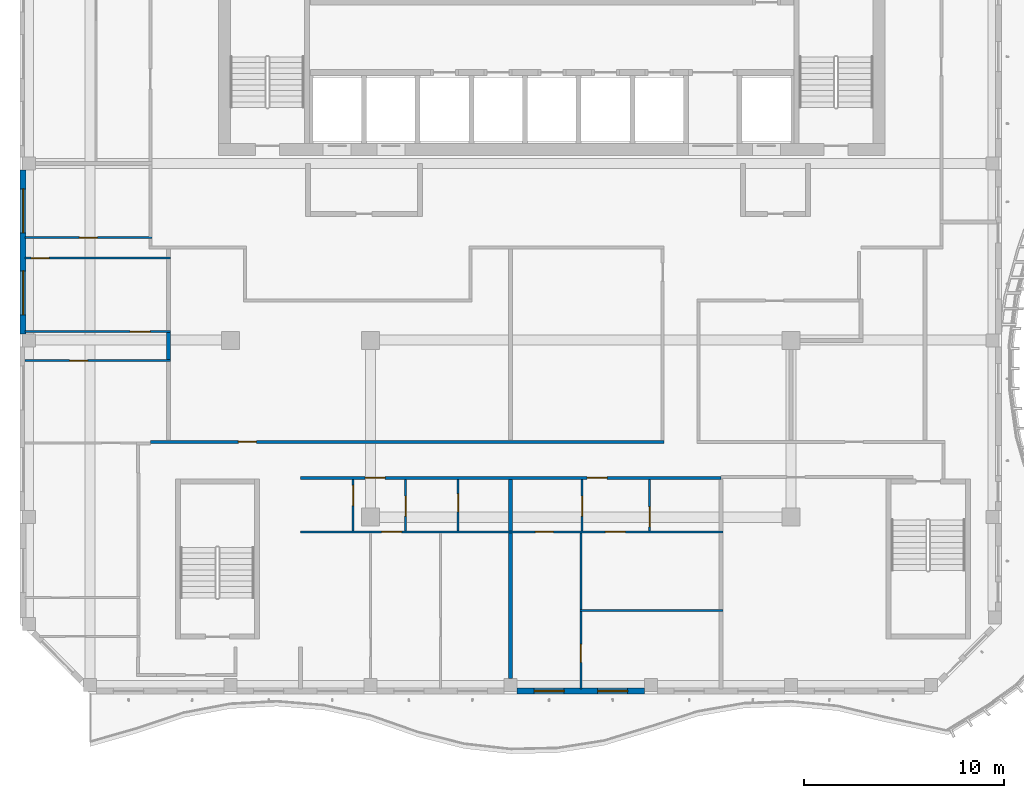
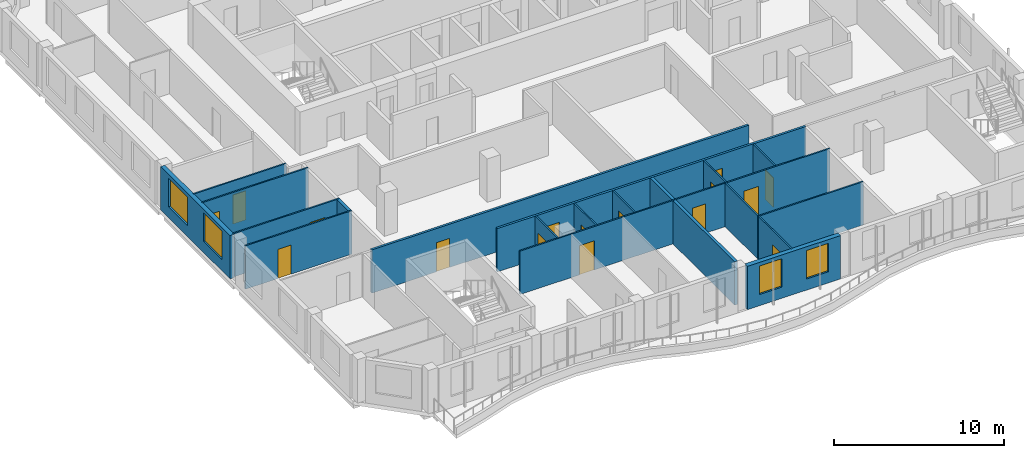
# One storey, part 3 of 18: 20 walls, 16 doors, 4 windows, 20 openings.
"""IFC4 building model written with IfcOpenShell, lengths in metres."""

from ifc_helpers import new_model, si_unit, direction, frame, frame_2d, origin, place, context, subcontext, project, spatial, rectangle, extrude, source, transform, mapped, material, layer, layer_set, type_object, element, fill, save


model = new_model("IFC4")

# Units and contexts
model_context = context("Model", 3, precision=1e-05, world=origin(), true_north=direction((0.0, 1.0)))
body_context = subcontext(model_context, "Body", "Model", "MODEL_VIEW")
ifc_project = project(units=[si_unit("LENGTHUNIT", "METRE"), si_unit("AREAUNIT", "SQUARE_METRE"), si_unit("VOLUMEUNIT", "CUBIC_METRE"), si_unit("PLANEANGLEUNIT", "RADIAN"), si_unit("MASSUNIT", "GRAM", prefix="KILO")], contexts=[model_context])

# Site, building, storey
site_placement = place(None, origin())
site = spatial("IfcSite", under=ifc_project, at=site_placement, CompositionType="ELEMENT")
building_placement = place(site_placement, origin())
building = spatial("IfcBuilding", under=site, at=building_placement, Name="Kilnfold Tower and Market Hall", CompositionType="ELEMENT")
storey_placement = place(building_placement, frame((0.0, 0.0, 280.60009765625)))
storey = spatial("IfcBuildingStorey", under=building, at=storey_placement, Name="L69", CompositionType="ELEMENT", Elevation=280.60009765625)

# Wall, opening, door
ifc_material_1 = material(Name="Gypsum board on steel studs", Category="steel")
ifc_layer_1 = layer(ifc_material_1, 0.14990234375)
ifc_layer_set_1 = layer_set([ifc_layer_1], Name="Gypsum board on steel studs")
wall_type_1 = type_object("IfcWallType", Name="WALL CORRIDOR 150", PredefinedType="PARTITIONING", material=ifc_layer_set_1)
wall_1_placement = place(storey_placement, frame((-19.0, -5.89990234375, 0.0), z_axis=(0.0, 0.0, 1.0), x_axis=(1.0, 0.0, 0.0)))
wall_1 = element("IfcWall", 1, at=wall_1_placement, inside=storey, type_object=wall_type_1, Name="Partition LY42.10", PredefinedType="PARTITIONING", context=body_context, shape_type="SweptSolid", body=[
    extrude(rectangle(XDim=25.655029296875, YDim=0.14990234375, at=frame_2d((12.82763671875, 0.0))), origin(), (0.0, 0.0, 1.0), 3.119873046875),
])
opening_1_placement = place(wall_1_placement, frame((4.39404296875, 0.0, 0.0)))
opening_1 = element("IfcOpeningElement", 2, at=opening_1_placement, cuts=wall_1, Name="Opening D2", PredefinedType="OPENING", context=body_context, shape_type="SweptSolid", body=[
    extrude(rectangle(XDim=0.89990234375, YDim=2.10009765625, at=frame_2d((0.449951171875, 1.050048828125))), frame((0.0, 0.0849609375, 0.0), z_axis=(0.0, -1.0, 0.0), x_axis=(1.0, 0.0, 0.0)), (0.0, 0.0, 1.0), 0.169921875),
])
ifc_material_2 = material(Name="Timber veneer door leaf in steel frame", Category="steel")
door_type_1 = type_object("IfcDoorType", Name="DOOR ROOM 900 X2100", OperationType="NOTDEFINED", PredefinedType="DOOR", material=ifc_material_2)
door_1_placement = place(opening_1_placement, origin())
door_1 = element("IfcDoor", 3, at=door_1_placement, inside=storey, type_object=door_type_1, Name="Door D2", OperationType="SINGLE_SWING_RIGHT", OverallHeight=2.10009765625, OverallWidth=0.89990234375, PredefinedType="DOOR", context=body_context, shape_type="SweptSolid", body=[
    extrude(rectangle(XDim=0.89990234375, YDim=2.10009765625, at=frame_2d((0.449951171875, 1.050048828125))), frame((0.0, 0.02490234375, 0.0), z_axis=(0.0, -1.0, 0.0), x_axis=(1.0, 0.0, 0.0)), (0.0, 0.0, 1.0), 0.050048828125),
])
fill(opening_1, door_1)

# Wall, openings, doors
wall_2_placement = place(storey_placement, frame((-11.510009765625, -7.699951171875, 0.0), z_axis=(0.0, 0.0, 1.0), x_axis=(1.0, 0.0, 0.0)))
wall_2 = element("IfcWall", 4, at=wall_2_placement, inside=storey, type_object=wall_type_1, Name="Partition LY42.14", PredefinedType="PARTITIONING", context=body_context, shape_type="SweptSolid", body=[
    extrude(rectangle(XDim=21.02001953125, YDim=0.14990234375, at=frame_2d((10.510009765625, 0.0))), origin(), (0.0, 0.0, 1.0), 3.119873046875),
])
opening_2_placement = place(wall_2_placement, frame((3.239990234375, 0.0, 0.0)))
opening_2 = element("IfcOpeningElement", 5, at=opening_2_placement, cuts=wall_2, Name="Opening D1", PredefinedType="OPENING", context=body_context, shape_type="SweptSolid", body=[
    extrude(rectangle(XDim=1.0, YDim=2.10009765625, at=frame_2d((0.5, 1.050048828125))), frame((0.0, 0.0849609375, 0.0), z_axis=(0.0, -1.0, 0.0), x_axis=(1.0, 0.0, 0.0)), (0.0, 0.0, 1.0), 0.169921875),
])
opening_3_placement = place(wall_2_placement, frame((14.321044921875, 0.0, 0.0)))
opening_3 = element("IfcOpeningElement", 6, at=opening_3_placement, cuts=wall_2, Name="Opening D1", PredefinedType="OPENING", context=body_context, shape_type="SweptSolid", body=[
    extrude(rectangle(XDim=1.0, YDim=2.10009765625, at=frame_2d((0.5, 1.050048828125))), frame((0.0, 0.0849609375, 0.0), z_axis=(0.0, -1.0, 0.0), x_axis=(1.0, 0.0, 0.0)), (0.0, 0.0, 1.0), 0.169921875),
])
ifc_material_3 = material(Name="Timber veneer door leaf in steel frame", Category="steel")
door_type_2 = type_object("IfcDoorType", Name="DOOR ENTRY 1000 X2100", OperationType="NOTDEFINED", PredefinedType="DOOR", material=ifc_material_3)
door_2_placement = place(opening_2_placement, origin())
door_2 = element("IfcDoor", 7, at=door_2_placement, inside=storey, type_object=door_type_2, Name="Door D1", OperationType="SINGLE_SWING_LEFT", OverallHeight=2.10009765625, OverallWidth=1.0, PredefinedType="DOOR", context=body_context, shape_type="SweptSolid", body=[
    extrude(rectangle(XDim=1.0, YDim=2.10009765625, at=frame_2d((0.5, 1.050048828125))), frame((0.0, 0.02490234375, 0.0), z_axis=(0.0, -1.0, 0.0), x_axis=(1.0, 0.0, 0.0)), (0.0, 0.0, 1.0), 0.050048828125),
])
fill(opening_2, door_2)
door_3_placement = place(opening_3_placement, origin())
door_3 = element("IfcDoor", 8, at=door_3_placement, inside=storey, type_object=door_type_2, Name="Door D1", OperationType="SINGLE_SWING_RIGHT", OverallHeight=2.10009765625, OverallWidth=1.0, PredefinedType="DOOR", context=body_context, shape_type="SweptSolid", body=[
    extrude(rectangle(XDim=1.0, YDim=2.10009765625, at=frame_2d((0.5, 1.050048828125))), frame((0.0, 0.02490234375, 0.0), z_axis=(0.0, -1.0, 0.0), x_axis=(1.0, 0.0, 0.0)), (0.0, 0.0, 1.0), 0.050048828125),
])
fill(opening_3, door_3)

# Wall, opening, door
ifc_material_4 = material(Name="Gypsum board on steel studs", Category="steel")
ifc_layer_2 = layer(ifc_material_4, 0.10009765625)
ifc_layer_set_2 = layer_set([ifc_layer_2], Name="Gypsum board on steel studs")
wall_type_2 = type_object("IfcWallType", Name="WALL PARTITION 100", PredefinedType="PARTITIONING", material=ifc_layer_set_2)
wall_3_placement = place(storey_placement, frame((-18.0, -1.842041015625, 0.0), z_axis=(0.0, 0.0, 1.0), x_axis=(-1.0, 0.0, 0.0)))
wall_3 = element("IfcWall", 9, at=wall_3_placement, inside=storey, type_object=wall_type_2, Name="Partition LY42.37", PredefinedType="PARTITIONING", context=body_context, shape_type="SweptSolid", body=[
    extrude(rectangle(XDim=7.25, YDim=0.10009765625, at=frame_2d((3.625, 0.0))), origin(), (0.0, 0.0, 1.0), 3.119873046875),
])
opening_4_placement = place(wall_3_placement, frame((4.133056640625, 0.0, 0.0)))
opening_4 = element("IfcOpeningElement", 10, at=opening_4_placement, cuts=wall_3, Name="Opening D2", PredefinedType="OPENING", context=body_context, shape_type="SweptSolid", body=[
    extrude(rectangle(XDim=0.89990234375, YDim=2.10009765625, at=frame_2d((0.449951171875, 1.050048828125))), frame((0.0, 0.06005859375, 0.0), z_axis=(0.0, -1.0, 0.0), x_axis=(1.0, 0.0, 0.0)), (0.0, 0.0, 1.0), 0.1201171875),
])
door_4_placement = place(opening_4_placement, origin())
door_4 = element("IfcDoor", 11, at=door_4_placement, inside=storey, type_object=door_type_1, Name="Door D2", OperationType="SINGLE_SWING_RIGHT", OverallHeight=2.10009765625, OverallWidth=0.89990234375, PredefinedType="DOOR", context=body_context, shape_type="SweptSolid", body=[
    extrude(rectangle(XDim=0.89990234375, YDim=2.10009765625, at=frame_2d((0.449951171875, 1.050048828125))), frame((0.0, 0.02490234375, 0.0), z_axis=(0.0, -1.0, 0.0), x_axis=(1.0, 0.0, 0.0)), (0.0, 0.0, 1.0), 0.050048828125),
])
fill(opening_4, door_4)

wall_4_placement = place(storey_placement, frame((-18.0, -0.39990234375, 0.0), z_axis=(0.0, 0.0, 1.0), x_axis=(-1.0, 0.0, 0.0)))
wall_4 = element("IfcWall", 12, at=wall_4_placement, inside=storey, type_object=wall_type_2, Name="Partition LY42.39", PredefinedType="PARTITIONING", context=body_context, shape_type="SweptSolid", body=[
    extrude(rectangle(XDim=7.25, YDim=0.10009765625, at=frame_2d((3.625, 0.0))), origin(), (0.0, 0.0, 1.0), 3.119873046875),
])
opening_5_placement = place(wall_4_placement, frame((1.007080078125, 0.0, 0.0)))
opening_5 = element("IfcOpeningElement", 13, at=opening_5_placement, cuts=wall_4, Name="Opening D1", PredefinedType="OPENING", context=body_context, shape_type="SweptSolid", body=[
    extrude(rectangle(XDim=1.0, YDim=2.10009765625, at=frame_2d((0.5, 1.050048828125))), frame((0.0, 0.06005859375, 0.0), z_axis=(0.0, -1.0, 0.0), x_axis=(1.0, 0.0, 0.0)), (0.0, 0.0, 1.0), 0.1201171875),
])
door_5_placement = place(opening_5_placement, origin())
door_5 = element("IfcDoor", 14, at=door_5_placement, inside=storey, type_object=door_type_2, Name="Door D1", OperationType="SINGLE_SWING_LEFT", OverallHeight=2.10009765625, OverallWidth=1.0, PredefinedType="DOOR", context=body_context, shape_type="SweptSolid", body=[
    extrude(rectangle(XDim=1.0, YDim=2.10009765625, at=frame_2d((0.5, 1.050048828125))), frame((0.0, 0.02490234375, 0.0), z_axis=(0.0, -1.0, 0.0), x_axis=(1.0, 0.0, 0.0)), (0.0, 0.0, 1.0), 0.050048828125),
])
fill(opening_5, door_5)

wall_5_placement = place(storey_placement, frame((-18.0, 3.27490234375, 0.0), z_axis=(0.0, 0.0, 1.0), x_axis=(-1.0, 0.0, 0.0)))
wall_5 = element("IfcWall", 15, at=wall_5_placement, inside=storey, type_object=wall_type_2, Name="Partition LY42.41", PredefinedType="PARTITIONING", context=body_context, shape_type="SweptSolid", body=[
    extrude(rectangle(XDim=7.25, YDim=0.10009765625, at=frame_2d((3.625, 0.0))), origin(), (0.0, 0.0, 1.0), 3.119873046875),
])
opening_6_placement = place(wall_5_placement, frame((6.049072265625, 0.0, 0.0)))
opening_6 = element("IfcOpeningElement", 16, at=opening_6_placement, cuts=wall_5, Name="Opening D2", PredefinedType="OPENING", context=body_context, shape_type="SweptSolid", body=[
    extrude(rectangle(XDim=0.89990234375, YDim=2.10009765625, at=frame_2d((0.449951171875, 1.050048828125))), frame((0.0, 0.06005859375, 0.0), z_axis=(0.0, -1.0, 0.0), x_axis=(1.0, 0.0, 0.0)), (0.0, 0.0, 1.0), 0.1201171875),
])
door_6_placement = place(opening_6_placement, origin())
door_6 = element("IfcDoor", 17, at=door_6_placement, inside=storey, type_object=door_type_1, Name="Door D2", OperationType="SINGLE_SWING_LEFT", OverallHeight=2.10009765625, OverallWidth=0.89990234375, PredefinedType="DOOR", context=body_context, shape_type="SweptSolid", body=[
    extrude(rectangle(XDim=0.89990234375, YDim=2.10009765625, at=frame_2d((0.449951171875, 1.050048828125))), frame((0.0, 0.02490234375, 0.0), z_axis=(0.0, -1.0, 0.0), x_axis=(1.0, 0.0, 0.0)), (0.0, 0.0, 1.0), 0.050048828125),
])
fill(opening_6, door_6)

wall_6_placement = place(storey_placement, frame((-18.927001953125, 4.2919921875, 0.0), z_axis=(0.0, 0.0, 1.0), x_axis=(-1.0, 0.0, 0.0)))
wall_6 = element("IfcWall", 18, at=wall_6_placement, inside=storey, type_object=wall_type_2, Name="Partition LY42.43", PredefinedType="PARTITIONING", context=body_context, shape_type="SweptSolid", body=[
    extrude(rectangle(XDim=6.322998046875, YDim=0.10009765625, at=frame_2d((3.16162109375, 0.0))), origin(), (0.0, 0.0, 1.0), 3.119873046875),
])
opening_7_placement = place(wall_6_placement, frame((2.7119140625, 0.0, 0.0)))
opening_7 = element("IfcOpeningElement", 19, at=opening_7_placement, cuts=wall_6, Name="Opening D2", PredefinedType="OPENING", context=body_context, shape_type="SweptSolid", body=[
    extrude(rectangle(XDim=0.89990234375, YDim=2.10009765625, at=frame_2d((0.449951171875, 1.050048828125))), frame((0.0, 0.06005859375, 0.0), z_axis=(0.0, -1.0, 0.0), x_axis=(1.0, 0.0, 0.0)), (0.0, 0.0, 1.0), 0.1201171875),
])
door_7_placement = place(opening_7_placement, origin())
door_7 = element("IfcDoor", 20, at=door_7_placement, inside=storey, type_object=door_type_1, Name="Door D2", OperationType="SINGLE_SWING_RIGHT", OverallHeight=2.10009765625, OverallWidth=0.89990234375, PredefinedType="DOOR", context=body_context, shape_type="SweptSolid", body=[
    extrude(rectangle(XDim=0.89990234375, YDim=2.10009765625, at=frame_2d((0.449951171875, 1.050048828125))), frame((0.0, 0.02490234375, 0.0), z_axis=(0.0, -1.0, 0.0), x_axis=(1.0, 0.0, 0.0)), (0.0, 0.0, 1.0), 0.050048828125),
])
fill(opening_7, door_7)

wall_7_placement = place(storey_placement, frame((-8.875, -10.35009765625, 0.0), z_axis=(0.0, 0.0, 1.0), x_axis=(0.0, 1.0, 0.0)))
wall_7 = element("IfcWall", 21, at=wall_7_placement, inside=storey, type_object=wall_type_2, Name="Partition LY42.46", PredefinedType="PARTITIONING", context=body_context, shape_type="SweptSolid", body=[
    extrude(rectangle(XDim=2.572998046875, YDim=0.10009765625, at=frame_2d((1.28662109375, 0.0))), origin(), (0.0, 0.0, 1.0), 3.119873046875),
])
opening_8_placement = place(wall_7_placement, frame((1.26611328125, 0.0, 0.0)))
opening_8 = element("IfcOpeningElement", 22, at=opening_8_placement, cuts=wall_7, Name="Opening D1", PredefinedType="OPENING", context=body_context, shape_type="SweptSolid", body=[
    extrude(rectangle(XDim=1.0, YDim=2.10009765625, at=frame_2d((0.5, 1.050048828125))), frame((0.0, 0.06005859375, 0.0), z_axis=(0.0, -1.0, 0.0), x_axis=(1.0, 0.0, 0.0)), (0.0, 0.0, 1.0), 0.1201171875),
])
door_8_placement = place(opening_8_placement, origin())
door_8 = element("IfcDoor", 23, at=door_8_placement, inside=storey, type_object=door_type_2, Name="Door D1", OperationType="SINGLE_SWING_RIGHT", OverallHeight=2.10009765625, OverallWidth=1.0, PredefinedType="DOOR", context=body_context, shape_type="SweptSolid", body=[
    extrude(rectangle(XDim=1.0, YDim=2.10009765625, at=frame_2d((0.5, 1.050048828125))), frame((0.0, 0.02490234375, 0.0), z_axis=(0.0, -1.0, 0.0), x_axis=(1.0, 0.0, 0.0)), (0.0, 0.0, 1.0), 0.050048828125),
])
fill(opening_8, door_8)

# Wall, openings, doors
wall_8_placement = place(storey_placement, frame((-11.5, -10.39990234375, 0.0), z_axis=(0.0, 0.0, 1.0), x_axis=(1.0, 0.0, 0.0)))
wall_8 = element("IfcWall", 24, at=wall_8_placement, inside=storey, type_object=wall_type_2, Name="Partition LY42.47", PredefinedType="PARTITIONING", context=body_context, shape_type="SweptSolid", body=[
    extrude(rectangle(XDim=21.10009765625, YDim=0.10009765625, at=frame_2d((10.550048828125, 0.0))), origin(), (0.0, 0.0, 1.0), 3.119873046875),
])
opening_9_placement = place(wall_8_placement, frame((4.050048828125, 0.0, 0.0)))
opening_9 = element("IfcOpeningElement", 25, at=opening_9_placement, cuts=wall_8, Name="Opening D1", PredefinedType="OPENING", context=body_context, shape_type="SweptSolid", body=[
    extrude(rectangle(XDim=1.0, YDim=2.10009765625, at=frame_2d((0.5, 1.050048828125))), frame((0.0, 0.06005859375, 0.0), z_axis=(0.0, -1.0, 0.0), x_axis=(1.0, 0.0, 0.0)), (0.0, 0.0, 1.0), 0.1201171875),
])
opening_10_placement = place(wall_8_placement, frame((11.72705078125, 0.0, 0.0)))
opening_10 = element("IfcOpeningElement", 26, at=opening_10_placement, cuts=wall_8, Name="Opening D2", PredefinedType="OPENING", context=body_context, shape_type="SweptSolid", body=[
    extrude(rectangle(XDim=0.89990234375, YDim=2.10009765625, at=frame_2d((0.449951171875, 1.050048828125))), frame((0.0, 0.06005859375, 0.0), z_axis=(0.0, -1.0, 0.0), x_axis=(1.0, 0.0, 0.0)), (0.0, 0.0, 1.0), 0.1201171875),
])
opening_11_placement = place(wall_8_placement, frame((15.22509765625, 0.0, 0.0)))
opening_11 = element("IfcOpeningElement", 27, at=opening_11_placement, cuts=wall_8, Name="Opening D1", PredefinedType="OPENING", context=body_context, shape_type="SweptSolid", body=[
    extrude(rectangle(XDim=1.0, YDim=2.10009765625, at=frame_2d((0.5, 1.050048828125))), frame((0.0, 0.06005859375, 0.0), z_axis=(0.0, -1.0, 0.0), x_axis=(1.0, 0.0, 0.0)), (0.0, 0.0, 1.0), 0.1201171875),
])
door_9_placement = place(opening_9_placement, origin())
door_9 = element("IfcDoor", 28, at=door_9_placement, inside=storey, type_object=door_type_2, Name="Door D1", OperationType="SINGLE_SWING_RIGHT", OverallHeight=2.10009765625, OverallWidth=1.0, PredefinedType="DOOR", context=body_context, shape_type="SweptSolid", body=[
    extrude(rectangle(XDim=1.0, YDim=2.10009765625, at=frame_2d((0.5, 1.050048828125))), frame((0.0, 0.02490234375, 0.0), z_axis=(0.0, -1.0, 0.0), x_axis=(1.0, 0.0, 0.0)), (0.0, 0.0, 1.0), 0.050048828125),
])
fill(opening_9, door_9)
door_10_placement = place(opening_11_placement, origin())
door_10 = element("IfcDoor", 29, at=door_10_placement, inside=storey, type_object=door_type_2, Name="Door D1", OperationType="SINGLE_SWING_LEFT", OverallHeight=2.10009765625, OverallWidth=1.0, PredefinedType="DOOR", context=body_context, shape_type="SweptSolid", body=[
    extrude(rectangle(XDim=1.0, YDim=2.10009765625, at=frame_2d((0.5, 1.050048828125))), frame((0.0, 0.02490234375, 0.0), z_axis=(0.0, -1.0, 0.0), x_axis=(1.0, 0.0, 0.0)), (0.0, 0.0, 1.0), 0.050048828125),
])
fill(opening_11, door_10)
door_11_placement = place(opening_10_placement, origin())
door_11 = element("IfcDoor", 30, at=door_11_placement, inside=storey, type_object=door_type_1, Name="Door D2", OperationType="SINGLE_SWING_LEFT", OverallHeight=2.10009765625, OverallWidth=0.89990234375, PredefinedType="DOOR", context=body_context, shape_type="SweptSolid", body=[
    extrude(rectangle(XDim=0.89990234375, YDim=2.10009765625, at=frame_2d((0.449951171875, 1.050048828125))), frame((0.0, 0.02490234375, 0.0), z_axis=(0.0, -1.0, 0.0), x_axis=(1.0, 0.0, 0.0)), (0.0, 0.0, 1.0), 0.050048828125),
])
fill(opening_10, door_11)

# Wall, opening, door
wall_9_placement = place(storey_placement, frame((-6.25, -10.35009765625, 0.0), z_axis=(0.0, 0.0, 1.0), x_axis=(0.0, 1.0, 0.0)))
wall_9 = element("IfcWall", 31, at=wall_9_placement, inside=storey, type_object=wall_type_2, Name="Partition LY42.48", PredefinedType="PARTITIONING", context=body_context, shape_type="SweptSolid", body=[
    extrude(rectangle(XDim=2.572998046875, YDim=0.10009765625, at=frame_2d((1.28662109375, 0.0))), origin(), (0.0, 0.0, 1.0), 3.119873046875),
])
opening_12_placement = place(wall_9_placement, frame((0.73291015625, 0.0, 0.0)))
opening_12 = element("IfcOpeningElement", 32, at=opening_12_placement, cuts=wall_9, Name="Opening D1", PredefinedType="OPENING", context=body_context, shape_type="SweptSolid", body=[
    extrude(rectangle(XDim=1.0, YDim=2.10009765625, at=frame_2d((0.5, 1.050048828125))), frame((0.0, 0.06005859375, 0.0), z_axis=(0.0, -1.0, 0.0), x_axis=(1.0, 0.0, 0.0)), (0.0, 0.0, 1.0), 0.1201171875),
])
door_12_placement = place(opening_12_placement, origin())
door_12 = element("IfcDoor", 33, at=door_12_placement, inside=storey, type_object=door_type_2, Name="Door D1", OperationType="SINGLE_SWING_RIGHT", OverallHeight=2.10009765625, OverallWidth=1.0, PredefinedType="DOOR", context=body_context, shape_type="SweptSolid", body=[
    extrude(rectangle(XDim=1.0, YDim=2.10009765625, at=frame_2d((0.5, 1.050048828125))), frame((0.0, 0.02490234375, 0.0), z_axis=(0.0, -1.0, 0.0), x_axis=(1.0, 0.0, 0.0)), (0.0, 0.0, 1.0), 0.050048828125),
])
fill(opening_12, door_12)

wall_10_placement = place(storey_placement, frame((-3.625, -10.35009765625, 0.0), z_axis=(0.0, 0.0, 1.0), x_axis=(0.0, 1.0, 0.0)))
wall_10 = element("IfcWall", 34, at=wall_10_placement, inside=storey, type_object=wall_type_2, Name="Partition LY42.49", PredefinedType="PARTITIONING", context=body_context, shape_type="SweptSolid", body=[
    extrude(rectangle(XDim=2.572998046875, YDim=0.10009765625, at=frame_2d((1.28662109375, 0.0))), origin(), (0.0, 0.0, 1.0), 3.119873046875),
])
opening_13_placement = place(wall_10_placement, frame((0.943115234375, 0.0, 0.0)))
opening_13 = element("IfcOpeningElement", 35, at=opening_13_placement, cuts=wall_10, Name="Opening D2", PredefinedType="OPENING", context=body_context, shape_type="SweptSolid", body=[
    extrude(rectangle(XDim=0.89990234375, YDim=2.10009765625, at=frame_2d((0.449951171875, 1.050048828125))), frame((0.0, 0.06005859375, 0.0), z_axis=(0.0, -1.0, 0.0), x_axis=(1.0, 0.0, 0.0)), (0.0, 0.0, 1.0), 0.1201171875),
])
door_13_placement = place(opening_13_placement, origin())
door_13 = element("IfcDoor", 36, at=door_13_placement, inside=storey, type_object=door_type_1, Name="Door D2", OperationType="SINGLE_SWING_RIGHT", OverallHeight=2.10009765625, OverallWidth=0.89990234375, PredefinedType="DOOR", context=body_context, shape_type="SweptSolid", body=[
    extrude(rectangle(XDim=0.89990234375, YDim=2.10009765625, at=frame_2d((0.449951171875, 1.050048828125))), frame((0.0, 0.02490234375, 0.0), z_axis=(0.0, -1.0, 0.0), x_axis=(1.0, 0.0, 0.0)), (0.0, 0.0, 1.0), 0.050048828125),
])
fill(opening_13, door_13)

wall_11_placement = place(storey_placement, frame((2.570068359375, -10.35009765625, 0.0), z_axis=(0.0, 0.0, 1.0), x_axis=(0.0, 1.0, 0.0)))
wall_11 = element("IfcWall", 37, at=wall_11_placement, inside=storey, type_object=wall_type_2, Name="Partition LY42.54", PredefinedType="PARTITIONING", context=body_context, shape_type="SweptSolid", body=[
    extrude(rectangle(XDim=2.572998046875, YDim=0.10009765625, at=frame_2d((1.28662109375, 0.0))), origin(), (0.0, 0.0, 1.0), 3.119873046875),
])
opening_14_placement = place(wall_11_placement, frame((0.73291015625, 0.0, 0.0)))
opening_14 = element("IfcOpeningElement", 38, at=opening_14_placement, cuts=wall_11, Name="Opening D1", PredefinedType="OPENING", context=body_context, shape_type="SweptSolid", body=[
    extrude(rectangle(XDim=1.0, YDim=2.10009765625, at=frame_2d((0.5, 1.050048828125))), frame((0.0, 0.06005859375, 0.0), z_axis=(0.0, -1.0, 0.0), x_axis=(1.0, 0.0, 0.0)), (0.0, 0.0, 1.0), 0.1201171875),
])
door_14_placement = place(opening_14_placement, origin())
door_14 = element("IfcDoor", 39, at=door_14_placement, inside=storey, type_object=door_type_2, Name="Door D1", OperationType="SINGLE_SWING_LEFT", OverallHeight=2.10009765625, OverallWidth=1.0, PredefinedType="DOOR", context=body_context, shape_type="SweptSolid", body=[
    extrude(rectangle(XDim=1.0, YDim=2.10009765625, at=frame_2d((0.5, 1.050048828125))), frame((0.0, 0.02490234375, 0.0), z_axis=(0.0, -1.0, 0.0), x_axis=(1.0, 0.0, 0.0)), (0.0, 0.0, 1.0), 0.050048828125),
])
fill(opening_14, door_14)

wall_12_placement = place(storey_placement, frame((5.929931640625, -10.35009765625, 0.0), z_axis=(0.0, 0.0, 1.0), x_axis=(0.0, 1.0, 0.0)))
wall_12 = element("IfcWall", 40, at=wall_12_placement, inside=storey, type_object=wall_type_2, Name="Partition LY42.55", PredefinedType="PARTITIONING", context=body_context, shape_type="SweptSolid", body=[
    extrude(rectangle(XDim=2.572998046875, YDim=0.10009765625, at=frame_2d((1.28662109375, 0.0))), origin(), (0.0, 0.0, 1.0), 3.119873046875),
])
opening_15_placement = place(wall_12_placement, frame((0.199951171875, 0.0, 0.0)))
opening_15 = element("IfcOpeningElement", 41, at=opening_15_placement, cuts=wall_12, Name="Opening D1", PredefinedType="OPENING", context=body_context, shape_type="SweptSolid", body=[
    extrude(rectangle(XDim=1.0, YDim=2.10009765625, at=frame_2d((0.5, 1.050048828125))), frame((0.0, 0.06005859375, 0.0), z_axis=(0.0, -1.0, 0.0), x_axis=(1.0, 0.0, 0.0)), (0.0, 0.0, 1.0), 0.1201171875),
])
door_15_placement = place(opening_15_placement, origin())
door_15 = element("IfcDoor", 42, at=door_15_placement, inside=storey, type_object=door_type_2, Name="Door D1", OperationType="SINGLE_SWING_LEFT", OverallHeight=2.10009765625, OverallWidth=1.0, PredefinedType="DOOR", context=body_context, shape_type="SweptSolid", body=[
    extrude(rectangle(XDim=1.0, YDim=2.10009765625, at=frame_2d((0.5, 1.050048828125))), frame((0.0, 0.02490234375, 0.0), z_axis=(0.0, -1.0, 0.0), x_axis=(1.0, 0.0, 0.0)), (0.0, 0.0, 1.0), 0.050048828125),
])
fill(opening_15, door_15)

wall_13_placement = place(storey_placement, frame((2.5, -18.25, 0.0), z_axis=(0.0, 0.0, 1.0), x_axis=(0.0, 1.0, 0.0)))
wall_13 = element("IfcWall", 43, at=wall_13_placement, inside=storey, type_object=wall_type_2, Name="Partition LY42.57", PredefinedType="PARTITIONING", context=body_context, shape_type="SweptSolid", body=[
    extrude(rectangle(XDim=3.884033203125, YDim=0.10009765625, at=frame_2d((1.94189453125, 0.0))), origin(), (0.0, 0.0, 1.0), 3.119873046875),
])
opening_16_placement = place(wall_13_placement, frame((1.3369140625, 0.0, 0.0)))
opening_16 = element("IfcOpeningElement", 44, at=opening_16_placement, cuts=wall_13, Name="Opening D2", PredefinedType="OPENING", context=body_context, shape_type="SweptSolid", body=[
    extrude(rectangle(XDim=0.89990234375, YDim=2.10009765625, at=frame_2d((0.449951171875, 1.050048828125))), frame((0.0, 0.06005859375, 0.0), z_axis=(0.0, -1.0, 0.0), x_axis=(1.0, 0.0, 0.0)), (0.0, 0.0, 1.0), 0.1201171875),
])
door_16_placement = place(opening_16_placement, origin())
door_16 = element("IfcDoor", 45, at=door_16_placement, inside=storey, type_object=door_type_1, Name="Door D2", OperationType="SINGLE_SWING_RIGHT", OverallHeight=2.10009765625, OverallWidth=0.89990234375, PredefinedType="DOOR", context=body_context, shape_type="SweptSolid", body=[
    extrude(rectangle(XDim=0.89990234375, YDim=2.10009765625, at=frame_2d((0.449951171875, 1.050048828125))), frame((0.0, 0.02490234375, 0.0), z_axis=(0.0, -1.0, 0.0), x_axis=(1.0, 0.0, 0.0)), (0.0, 0.0, 1.0), 0.050048828125),
])
fill(opening_16, door_16)

# Walls
wall_14_placement = place(storey_placement, frame((2.5, -14.285888671875, 0.0), z_axis=(0.0, 0.0, 1.0), x_axis=(0.0, 1.0, 0.0)))
element("IfcWall", 46, at=wall_14_placement, inside=storey, type_object=wall_type_2, Name="Partition LY42.58", PredefinedType="PARTITIONING", context=body_context, shape_type="SweptSolid", body=[
    extrude(rectangle(XDim=3.833984375, YDim=0.10009765625, at=frame_2d((1.9169921875, 0.0))), origin(), (0.0, 0.0, 1.0), 3.119873046875),
])
wall_15_placement = place(storey_placement, frame((9.60009765625, -14.325927734375, 0.0), z_axis=(0.0, 0.0, 1.0), x_axis=(-1.0, 0.0, 0.0)))
element("IfcWall", 47, at=wall_15_placement, inside=storey, type_object=wall_type_2, Name="Partition LY42.59", PredefinedType="PARTITIONING", context=body_context, shape_type="SweptSolid", body=[
    extrude(rectangle(XDim=7.150146484375, YDim=0.10009765625, at=frame_2d((3.5751953125, 0.0))), origin(), (0.0, 0.0, 1.0), 3.119873046875),
])
ifc_material_5 = material(Name="Gypsum board on steel studs", Category="steel")
ifc_layer_3 = layer(ifc_material_5, 0.199951171875)
ifc_layer_set_3 = layer_set([ifc_layer_3], Name="Gypsum board on steel studs")
wall_type_3 = type_object("IfcWallType", Name="WALL PARTY 200", PredefinedType="PARTITIONING", material=ifc_layer_set_3)
wall_16_placement = place(storey_placement, frame((-18.10009765625, -1.7919921875, 0.0), z_axis=(0.0, 0.0, 1.0), x_axis=(0.0, 1.0, 0.0)))
element("IfcWall", 48, at=wall_16_placement, inside=storey, type_object=wall_type_3, Name="Partition LY42.40", PredefinedType="PARTITIONING", context=body_context, shape_type="SweptSolid", body=[
    extrude(rectangle(XDim=1.342041015625, YDim=0.199951171875, at=frame_2d((0.6708984375, 0.0))), origin(), (0.0, 0.0, 1.0), 3.119873046875),
])
wall_17_placement = place(storey_placement, frame((-1.0, -10.35009765625, 0.0), z_axis=(0.0, 0.0, 1.0), x_axis=(0.0, 1.0, 0.0)))
element("IfcWall", 49, at=wall_17_placement, inside=storey, type_object=wall_type_3, Name="Partition LY42.50", PredefinedType="PARTITIONING", context=body_context, shape_type="SweptSolid", body=[
    extrude(rectangle(XDim=2.572998046875, YDim=0.199951171875, at=frame_2d((1.28662109375, 0.0))), origin(), (0.0, 0.0, 1.0), 3.119873046875),
])
wall_18_placement = place(storey_placement, frame((-1.0, -17.72509765625, 0.0), z_axis=(0.0, 0.0, 1.0), x_axis=(0.0, 1.0, 0.0)))
element("IfcWall", 50, at=wall_18_placement, inside=storey, type_object=wall_type_3, Name="Partition LY42.53", PredefinedType="PARTITIONING", context=body_context, shape_type="SweptSolid", body=[
    extrude(rectangle(XDim=7.273193359375, YDim=0.199951171875, at=frame_2d((3.63671875, 0.0))), origin(), (0.0, 0.0, 1.0), 3.119873046875),
])

# Wall, openings, windows
ifc_material_6 = material(Name="Precast concrete C50/60", Category="concrete")
ifc_layer_4 = layer(ifc_material_6, 0.300048828125)
ifc_layer_set_4 = layer_set([ifc_layer_4], Name="Precast concrete C50/60")
wall_type_4 = type_object("IfcWallType", Name="PRECAST WALL 300", PredefinedType="SOLIDWALL", material=ifc_layer_set_4)
shared_shape_1 = source(origin(), body_context, "Body", "SweptSolid", [
    extrude(rectangle(XDim=6.35009765625, YDim=0.300048828125, at=frame_2d((3.175048828125, 0.0))), origin(), (0.0, 0.0, 1.0), 3.119873046875),
])
wall_19_placement = place(storey_placement, frame((-0.675048828125, -18.35009765625, 0.0), z_axis=(0.0, 0.0, 1.0), x_axis=(1.0, 0.0, 0.0)))
wall_19 = element("IfcWall", 51, at=wall_19_placement, inside=storey, type_object=wall_type_4, Name="External wall L69 S", PredefinedType="SOLIDWALL", context=body_context, shape_type="MappedRepresentation", body=[
    mapped(shared_shape_1, transform((0.0, 0.0, 0.0))),
])
opening_17_placement = place(wall_19_placement, frame((0.83740234375, 0.0, 0.800048828125)))
opening_17 = element("IfcOpeningElement", 52, at=opening_17_placement, cuts=wall_19, Name="Opening W5", PredefinedType="OPENING", context=body_context, shape_type="SweptSolid", body=[
    extrude(rectangle(XDim=1.5, YDim=2.050048828125, at=frame_2d((0.75, 1.02490234375))), frame((0.0, 0.16015625, 0.0), z_axis=(0.0, -1.0, 0.0), x_axis=(1.0, 0.0, 0.0)), (0.0, 0.0, 1.0), 0.320068359375),
])
opening_18_placement = place(wall_19_placement, frame((4.012451171875, 0.0, 0.800048828125)))
opening_18 = element("IfcOpeningElement", 53, at=opening_18_placement, cuts=wall_19, Name="Opening W5", PredefinedType="OPENING", context=body_context, shape_type="SweptSolid", body=[
    extrude(rectangle(XDim=1.5, YDim=2.050048828125, at=frame_2d((0.75, 1.02490234375))), frame((0.0, 0.16015625, 0.0), z_axis=(0.0, -1.0, 0.0), x_axis=(1.0, 0.0, 0.0)), (0.0, 0.0, 1.0), 0.320068359375),
])
ifc_material_7 = material(Name="Aluminium frame and double glazing", Category="aluminium")
window_type_1 = type_object("IfcWindowType", Name="WINDOW W5 1500X2050", PartitioningType="SINGLE_PANEL", PredefinedType="WINDOW", material=ifc_material_7)
window_1_placement = place(opening_17_placement, origin())
window_1 = element("IfcWindow", 54, at=window_1_placement, inside=storey, type_object=window_type_1, Name="Window W5 L69 S-1", OverallHeight=2.050048828125, OverallWidth=1.5, PartitioningType="SINGLE_PANEL", PredefinedType="WINDOW", context=body_context, shape_type="SweptSolid", body=[
    extrude(rectangle(XDim=1.5, YDim=2.050048828125, at=frame_2d((0.75, 1.02490234375))), frame((0.0, 0.030029296875, 0.0), z_axis=(0.0, -1.0, 0.0), x_axis=(1.0, 0.0, 0.0)), (0.0, 0.0, 1.0), 0.06005859375),
])
fill(opening_17, window_1)
window_2_placement = place(opening_18_placement, origin())
window_2 = element("IfcWindow", 55, at=window_2_placement, inside=storey, type_object=window_type_1, Name="Window W5 L69 S-2", OverallHeight=2.050048828125, OverallWidth=1.5, PartitioningType="SINGLE_PANEL", PredefinedType="WINDOW", context=body_context, shape_type="SweptSolid", body=[
    extrude(rectangle(XDim=1.5, YDim=2.050048828125, at=frame_2d((0.75, 1.02490234375))), frame((0.0, 0.030029296875, 0.0), z_axis=(0.0, -1.0, 0.0), x_axis=(1.0, 0.0, 0.0)), (0.0, 0.0, 1.0), 0.06005859375),
])
fill(opening_18, window_2)

shared_shape_2 = source(origin(), body_context, "Body", "SweptSolid", [
    extrude(rectangle(XDim=8.183349609375, YDim=0.300048828125, at=frame_2d((4.091796875, 0.0))), origin(), (0.0, 0.0, 1.0), 3.119873046875),
])
wall_20_placement = place(storey_placement, frame((-25.35009765625, 7.675048828125, 0.0), z_axis=(0.0, 0.0, 1.0), x_axis=(0.0, -1.0, 0.0)))
wall_20 = element("IfcWall", 56, at=wall_20_placement, inside=storey, type_object=wall_type_4, Name="External wall L69 W", PredefinedType="SOLIDWALL", context=body_context, shape_type="MappedRepresentation", body=[
    mapped(shared_shape_2, transform((0.0, 0.0, 0.0))),
])
opening_19_placement = place(wall_20_placement, frame((0.94580078125, 0.0, 0.800048828125)))
opening_19 = element("IfcOpeningElement", 57, at=opening_19_placement, cuts=wall_20, Name="Opening W3", PredefinedType="OPENING", context=body_context, shape_type="SweptSolid", body=[
    extrude(rectangle(XDim=2.199951171875, YDim=2.050048828125, at=frame_2d((1.10009765625, 1.02490234375))), frame((0.0, 0.16015625, 0.0), z_axis=(0.0, -1.0, 0.0), x_axis=(1.0, 0.0, 0.0)), (0.0, 0.0, 1.0), 0.320068359375),
])
opening_20_placement = place(wall_20_placement, frame((5.037353515625, 0.0, 0.800048828125)))
opening_20 = element("IfcOpeningElement", 58, at=opening_20_placement, cuts=wall_20, Name="Opening W3", PredefinedType="OPENING", context=body_context, shape_type="SweptSolid", body=[
    extrude(rectangle(XDim=2.199951171875, YDim=2.050048828125, at=frame_2d((1.10009765625, 1.02490234375))), frame((0.0, 0.16015625, 0.0), z_axis=(0.0, -1.0, 0.0), x_axis=(1.0, 0.0, 0.0)), (0.0, 0.0, 1.0), 0.320068359375),
])
ifc_material_8 = material(Name="Aluminium frame and double glazing", Category="aluminium")
window_type_2 = type_object("IfcWindowType", Name="WINDOW W3 2200X2050", PartitioningType="SINGLE_PANEL", PredefinedType="WINDOW", material=ifc_material_8)
window_3_placement = place(opening_19_placement, origin())
window_3 = element("IfcWindow", 59, at=window_3_placement, inside=storey, type_object=window_type_2, Name="Window W3 L69 W-1", OverallHeight=2.050048828125, OverallWidth=2.199951171875, PartitioningType="SINGLE_PANEL", PredefinedType="WINDOW", context=body_context, shape_type="SweptSolid", body=[
    extrude(rectangle(XDim=2.199951171875, YDim=2.050048828125, at=frame_2d((1.10009765625, 1.02490234375))), frame((0.0, 0.030029296875, 0.0), z_axis=(0.0, -1.0, 0.0), x_axis=(1.0, 0.0, 0.0)), (0.0, 0.0, 1.0), 0.06005859375),
])
fill(opening_19, window_3)
window_4_placement = place(opening_20_placement, origin())
window_4 = element("IfcWindow", 60, at=window_4_placement, inside=storey, type_object=window_type_2, Name="Window W3 L69 W-2", OverallHeight=2.050048828125, OverallWidth=2.199951171875, PartitioningType="SINGLE_PANEL", PredefinedType="WINDOW", context=body_context, shape_type="SweptSolid", body=[
    extrude(rectangle(XDim=2.199951171875, YDim=2.050048828125, at=frame_2d((1.10009765625, 1.02490234375))), frame((0.0, 0.030029296875, 0.0), z_axis=(0.0, -1.0, 0.0), x_axis=(1.0, 0.0, 0.0)), (0.0, 0.0, 1.0), 0.06005859375),
])
fill(opening_20, window_4)

save(model, "model.ifc")
